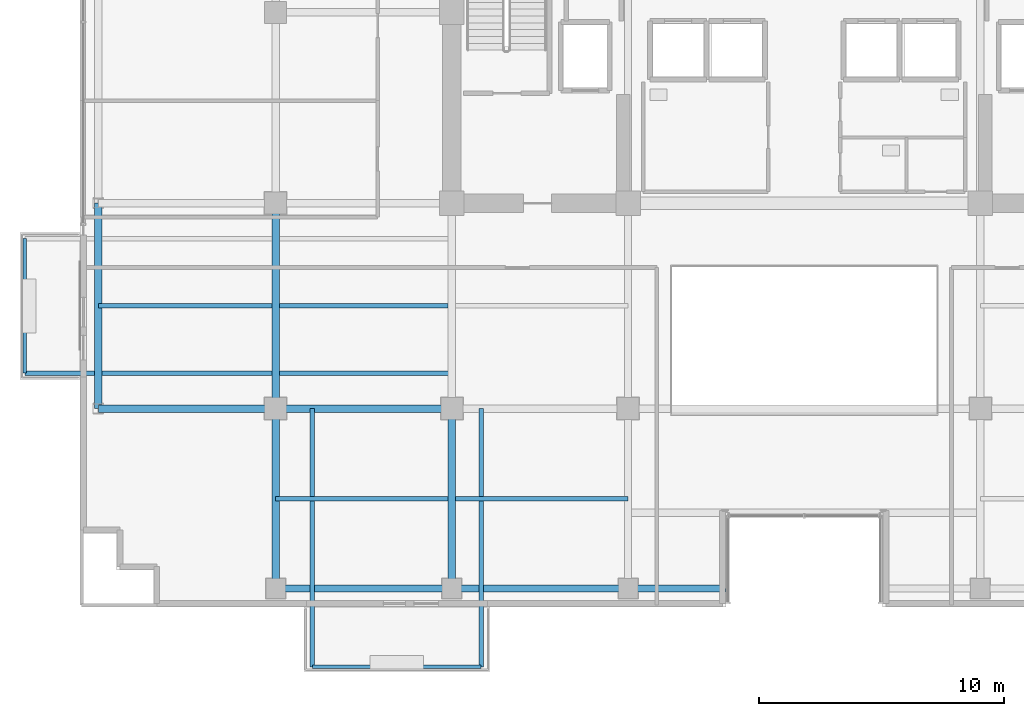
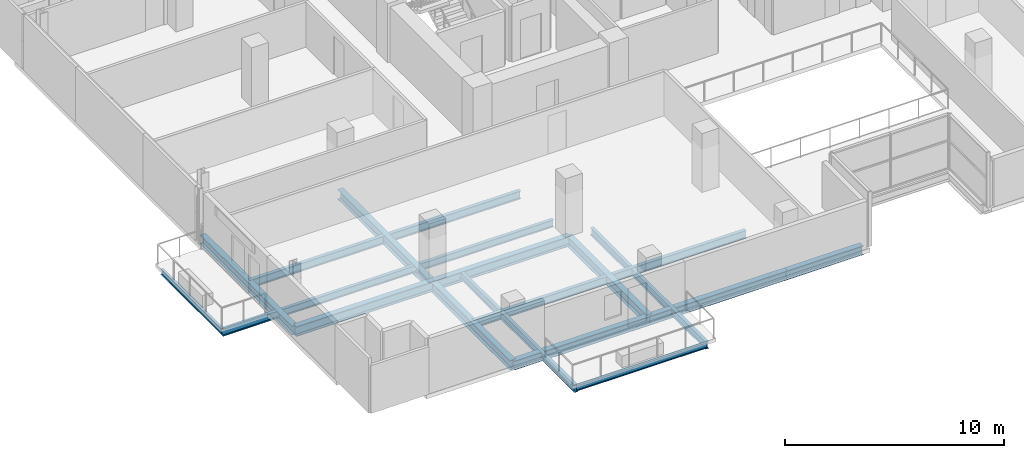
# One storey, part 2 of 28: 18 beams.
"""IFC4 building model written with IfcOpenShell, lengths in metres."""

from ifc_helpers import new_model, si_unit, direction, frame, origin, origin_2d, place, context, subcontext, project, spatial, i_section, extrude, material, material_profile, profile_set, type_object, element, save


model = new_model("IFC4")

# Units and contexts
model_context = context("Model", 3, precision=1e-05, world=origin(), true_north=direction((0.0, 1.0)))
body_context = subcontext(model_context, "Body", "Model", "MODEL_VIEW")
ifc_project = project(units=[si_unit("LENGTHUNIT", "METRE"), si_unit("AREAUNIT", "SQUARE_METRE"), si_unit("VOLUMEUNIT", "CUBIC_METRE"), si_unit("PLANEANGLEUNIT", "RADIAN"), si_unit("MASSUNIT", "GRAM", prefix="KILO")], contexts=[model_context])

# Site, building, storey
site_placement = place(None, origin())
site = spatial("IfcSite", under=ifc_project, at=site_placement, CompositionType="ELEMENT")
building_placement = place(site_placement, origin())
building = spatial("IfcBuilding", under=site, at=building_placement, Name="Zarnakvel Exchange Tower", CompositionType="ELEMENT")
storey_placement = place(building_placement, frame((0.0, 0.0, 103.300048828125)))
storey = spatial("IfcBuildingStorey", under=building, at=storey_placement, Name="L28", CompositionType="ELEMENT", Elevation=103.300048828125)

# Beams
ifc_material = material(Name="Steel S355", Category="steel")
ifc_material_profile_1 = material_profile(ifc_material, i_section(OverallWidth=0.18994140625, OverallDepth=0.449951171875, WebThickness=0.009521484375, FlangeThickness=0.0146484375, FilletRadius=0.02099609375, at=origin_2d()))
ifc_profile_set_1 = profile_set([ifc_material_profile_1], Name="Steel S355")
beam_type_1 = type_object("IfcBeamType", Name="B-05", PredefinedType="JOIST", material=ifc_profile_set_1)
for number, where, z_axis, x_axis, name in (
    (1, (-21.60009765625, -13.27490234375, -0.449951171875), (1.0, 0.0, 0.0), (0.0, 1.0, 0.0), "L28 Composite Floor Secondary Joist"),
    (2, (-14.25, -13.27490234375, -0.449951171875), (1.0, 0.0, 0.0), (0.0, 1.0, 0.0), "L28 Composite Floor Secondary Joist"),
):
    element("IfcBeam", number, at=place(storey_placement, frame(where, z_axis=z_axis, x_axis=x_axis)), inside=storey, type_object=beam_type_1, Name=name, PredefinedType="JOIST", context=body_context, shape_type="SweptSolid", body=[
        extrude(i_section(OverallWidth=0.18994140625, OverallDepth=0.449951171875, WebThickness=0.009521484375, FlangeThickness=0.0146484375, FilletRadius=0.02099609375, at=origin_2d()), origin(), (0.0, 0.0, 1.0), 7.050048828125),
    ])
beam_1_placement = place(storey_placement, frame((-28.85009765625, -5.39990234375, -0.449951171875), z_axis=(1.0, 0.0, 0.0), x_axis=(0.0, 1.0, 0.0)))
element("IfcBeam", 3, at=beam_1_placement, inside=storey, type_object=beam_type_1, Name="L28 Composite Floor Secondary Joist", PredefinedType="JOIST", context=body_context, shape_type="SweptSolid", body=[
    extrude(i_section(OverallWidth=0.18994140625, OverallDepth=0.449951171875, WebThickness=0.009521484375, FlangeThickness=0.0146484375, FilletRadius=0.02099609375, at=origin_2d()), origin(), (0.0, 0.0, 1.0), 7.10009765625),
])
beam_2_placement = place(storey_placement, frame((-21.449951171875, -5.39990234375, -0.449951171875), z_axis=(1.0, 0.0, 0.0), x_axis=(0.0, 1.0, 0.0)))
element("IfcBeam", 4, at=beam_2_placement, inside=storey, type_object=beam_type_1, Name="L28 Composite Floor Secondary Joist", PredefinedType="JOIST", context=body_context, shape_type="SweptSolid", body=[
    extrude(i_section(OverallWidth=0.18994140625, OverallDepth=0.449951171875, WebThickness=0.009521484375, FlangeThickness=0.0146484375, FilletRadius=0.02099609375, at=origin_2d()), origin(), (0.0, 0.0, 1.0), 6.89990234375),
])
ifc_material_profile_2 = material_profile(ifc_material, i_section(OverallWidth=0.179931640625, OverallDepth=0.39990234375, WebThickness=0.008544921875, FlangeThickness=0.013427734375, FilletRadius=0.02099609375, at=origin_2d()))
ifc_profile_set_2 = profile_set([ifc_material_profile_2], Name="Steel S355")
beam_type_2 = type_object("IfcBeamType", Name="B-06", PredefinedType="JOIST", material=ifc_profile_set_2)
for number, where, z_axis, x_axis, name in (
    (5, (-20.10009765625, -9.60009765625, -0.425048828125), (0.0, -1.0, 0.0), (1.0, 0.0, 0.0), "L28 Continuous Back-Spanned Balcony Beam W"),
    (6, (-13.199951171875, -9.60009765625, -0.425048828125), (0.0, -1.0, 0.0), (1.0, 0.0, 0.0), "L28 Continuous Back-Spanned Balcony Beam E"),
):
    element("IfcBeam", number, at=place(storey_placement, frame(where, z_axis=z_axis, x_axis=x_axis)), inside=storey, type_object=beam_type_2, Name=name, PredefinedType="JOIST", context=body_context, shape_type="SweptSolid", body=[
        extrude(i_section(OverallWidth=0.179931640625, OverallDepth=0.39990234375, WebThickness=0.008544921875, FlangeThickness=0.013427734375, FilletRadius=0.02099609375, at=origin_2d()), origin(), (0.0, 0.0, 1.0), 10.5498046875),
    ])
beam_3_placement = place(storey_placement, frame((-14.39990234375, -8.14990234375, -0.425048828125), z_axis=(-1.0, 0.0, 0.0), x_axis=(0.0, -1.0, 0.0)))
element("IfcBeam", 7, at=beam_3_placement, inside=storey, type_object=beam_type_2, Name="L28 Continuous West Loggia Beam S", PredefinedType="JOIST", context=body_context, shape_type="SweptSolid", body=[
    extrude(i_section(OverallWidth=0.179931640625, OverallDepth=0.39990234375, WebThickness=0.008544921875, FlangeThickness=0.013427734375, FilletRadius=0.02099609375, at=origin_2d()), origin(), (0.0, 0.0, 1.0), 17.4501953125),
])
ifc_material_profile_3 = material_profile(ifc_material, i_section(OverallWidth=0.14990234375, OverallDepth=0.300048828125, WebThickness=0.007080078125, FlangeThickness=0.0107421875, FilletRadius=0.014892578125, at=origin_2d()))
ifc_profile_set_3 = profile_set([ifc_material_profile_3], Name="Steel S355")
beam_type_3 = type_object("IfcBeamType", Name="B-08", PredefinedType="JOIST", material=ifc_profile_set_3)
beam_4_placement = place(storey_placement, frame((-20.10009765625, -20.14990234375, -0.375), z_axis=(1.0, 0.0, 0.0), x_axis=(0.0, 1.0, 0.0)))
element("IfcBeam", 8, at=beam_4_placement, inside=storey, type_object=beam_type_3, Name="L28 Balcony Edge Beam", PredefinedType="JOIST", context=body_context, shape_type="SweptSolid", body=[
    extrude(i_section(OverallWidth=0.14990234375, OverallDepth=0.300048828125, WebThickness=0.007080078125, FlangeThickness=0.0107421875, FilletRadius=0.014892578125, at=origin_2d()), origin(), (0.0, 0.0, 1.0), 6.900146484375),
])
beam_5_placement = place(storey_placement, frame((-31.85009765625, -8.14990234375, -0.375), z_axis=(0.0, 1.0, 0.0), x_axis=(-1.0, 0.0, 0.0)))
element("IfcBeam", 9, at=beam_5_placement, inside=storey, type_object=beam_type_3, Name="L28 West Loggia Edge Beam", PredefinedType="JOIST", context=body_context, shape_type="SweptSolid", body=[
    extrude(i_section(OverallWidth=0.14990234375, OverallDepth=0.300048828125, WebThickness=0.007080078125, FlangeThickness=0.0107421875, FilletRadius=0.014892578125, at=origin_2d()), origin(), (0.0, 0.0, 1.0), 5.5),
])
ifc_material_profile_4 = material_profile(ifc_material, i_section(OverallWidth=0.300048828125, OverallDepth=0.550048828125, WebThickness=0.014892578125, FlangeThickness=0.029052734375, FilletRadius=0.027099609375, at=origin_2d()))
ifc_profile_set_4 = profile_set([ifc_material_profile_4], Name="Steel S355")
beam_type_4 = type_object("IfcBeamType", Name="G-05", PredefinedType="BEAM", material=ifc_profile_set_4)
beam_6_placement = place(storey_placement, frame((-28.85009765625, -9.60009765625, -0.5), z_axis=(1.0, 0.0, 0.0), x_axis=(0.0, 1.0, 0.0)))
element("IfcBeam", 10, at=beam_6_placement, inside=storey, type_object=beam_type_4, Name="L28 Tower E-W Frame Beam", PredefinedType="BEAM", context=body_context, shape_type="SweptSolid", body=[
    extrude(i_section(OverallWidth=0.300048828125, OverallDepth=0.550048828125, WebThickness=0.014892578125, FlangeThickness=0.029052734375, FilletRadius=0.027099609375, at=origin_2d()), origin(), (0.0, 0.0, 1.0), 7.25),
])
beam_7_placement = place(storey_placement, frame((-21.60009765625, -9.60009765625, -0.5), z_axis=(1.0, 0.0, 0.0), x_axis=(0.0, 1.0, 0.0)))
element("IfcBeam", 11, at=beam_7_placement, inside=storey, type_object=beam_type_4, Name="L28 Tower E-W Frame Beam", PredefinedType="BEAM", context=body_context, shape_type="SweptSolid", body=[
    extrude(i_section(OverallWidth=0.300048828125, OverallDepth=0.550048828125, WebThickness=0.014892578125, FlangeThickness=0.029052734375, FilletRadius=0.027099609375, at=origin_2d()), origin(), (0.0, 0.0, 1.0), 7.2001953125),
])
beam_8_placement = place(storey_placement, frame((-21.60009765625, -16.949951171875, -0.5), z_axis=(0.0, 1.0, 0.0), x_axis=(-1.0, 0.0, 0.0)))
element("IfcBeam", 12, at=beam_8_placement, inside=storey, type_object=beam_type_4, Name="L28 Tower N-S Frame Beam", PredefinedType="BEAM", context=body_context, shape_type="SweptSolid", body=[
    extrude(i_section(OverallWidth=0.300048828125, OverallDepth=0.550048828125, WebThickness=0.014892578125, FlangeThickness=0.029052734375, FilletRadius=0.027099609375, at=origin_2d()), origin(), (0.0, 0.0, 1.0), 7.349853515625),
])
beam_9_placement = place(storey_placement, frame((-21.60009765625, -9.60009765625, -0.5), z_axis=(0.0, 1.0, 0.0), x_axis=(-1.0, 0.0, 0.0)))
element("IfcBeam", 13, at=beam_9_placement, inside=storey, type_object=beam_type_4, Name="L28 Tower N-S Frame Beam", PredefinedType="BEAM", context=body_context, shape_type="SweptSolid", body=[
    extrude(i_section(OverallWidth=0.300048828125, OverallDepth=0.550048828125, WebThickness=0.014892578125, FlangeThickness=0.029052734375, FilletRadius=0.027099609375, at=origin_2d()), origin(), (0.0, 0.0, 1.0), 8.400146484375),
])
beam_10_placement = place(storey_placement, frame((-14.39990234375, -16.949951171875, -0.5), z_axis=(0.0, 1.0, 0.0), x_axis=(-1.0, 0.0, 0.0)))
element("IfcBeam", 14, at=beam_10_placement, inside=storey, type_object=beam_type_4, Name="L28 Tower N-S Frame Beam", PredefinedType="BEAM", context=body_context, shape_type="SweptSolid", body=[
    extrude(i_section(OverallWidth=0.300048828125, OverallDepth=0.550048828125, WebThickness=0.014892578125, FlangeThickness=0.029052734375, FilletRadius=0.027099609375, at=origin_2d()), origin(), (0.0, 0.0, 1.0), 7.349853515625),
])
ifc_material_profile_5 = material_profile(ifc_material, i_section(OverallWidth=0.300048828125, OverallDepth=0.5, WebThickness=0.014404296875, FlangeThickness=0.028076171875, FilletRadius=0.027099609375, at=origin_2d()))
ifc_profile_set_5 = profile_set([ifc_material_profile_5], Name="Steel S355")
beam_type_5 = type_object("IfcBeamType", Name="SP-02", PredefinedType="SPANDREL", material=ifc_profile_set_5)
beam_11_placement = place(storey_placement, frame((-21.60009765625, -16.949951171875, -0.47509765625), z_axis=(1.0, 0.0, 0.0), x_axis=(0.0, 1.0, 0.0)))
element("IfcBeam", 15, at=beam_11_placement, inside=storey, type_object=beam_type_5, Name="L28 Tower E-W Frame Beam", PredefinedType="SPANDREL", context=body_context, shape_type="SweptSolid", body=[
    extrude(i_section(OverallWidth=0.300048828125, OverallDepth=0.5, WebThickness=0.014404296875, FlangeThickness=0.028076171875, FilletRadius=0.027099609375, at=origin_2d()), origin(), (0.0, 0.0, 1.0), 7.2001953125),
])
beam_12_placement = place(storey_placement, frame((-14.39990234375, -16.949951171875, -0.47509765625), z_axis=(1.0, 0.0, 0.0), x_axis=(0.0, 1.0, 0.0)))
element("IfcBeam", 16, at=beam_12_placement, inside=storey, type_object=beam_type_5, Name="L28 Tower E-W Frame Beam", PredefinedType="SPANDREL", context=body_context, shape_type="SweptSolid", body=[
    extrude(i_section(OverallWidth=0.300048828125, OverallDepth=0.5, WebThickness=0.014404296875, FlangeThickness=0.028076171875, FilletRadius=0.027099609375, at=origin_2d()), origin(), (0.0, 0.0, 1.0), 7.199951171875),
])
beam_13_placement = place(storey_placement, frame((-7.199951171875, -16.949951171875, -0.47509765625), z_axis=(1.0, 0.0, 0.0), x_axis=(0.0, 1.0, 0.0)))
element("IfcBeam", 17, at=beam_13_placement, inside=storey, type_object=beam_type_5, Name="L28 South Slot West Jamb Spandrel", PredefinedType="SPANDREL", context=body_context, shape_type="SweptSolid", body=[
    extrude(i_section(OverallWidth=0.300048828125, OverallDepth=0.5, WebThickness=0.014404296875, FlangeThickness=0.028076171875, FilletRadius=0.027099609375, at=origin_2d()), origin(), (0.0, 0.0, 1.0), 4.0),
])
beam_14_placement = place(storey_placement, frame((-28.85009765625, -9.60009765625, -0.47509765625), z_axis=(0.0, 1.0, 0.0), x_axis=(-1.0, 0.0, 0.0)))
element("IfcBeam", 18, at=beam_14_placement, inside=storey, type_object=beam_type_5, Name="L28 Tower N-S Frame Beam", PredefinedType="SPANDREL", context=body_context, shape_type="SweptSolid", body=[
    extrude(i_section(OverallWidth=0.300048828125, OverallDepth=0.5, WebThickness=0.014404296875, FlangeThickness=0.028076171875, FilletRadius=0.027099609375, at=origin_2d()), origin(), (0.0, 0.0, 1.0), 8.400146484375),
])

save(model, "model.ifc")
